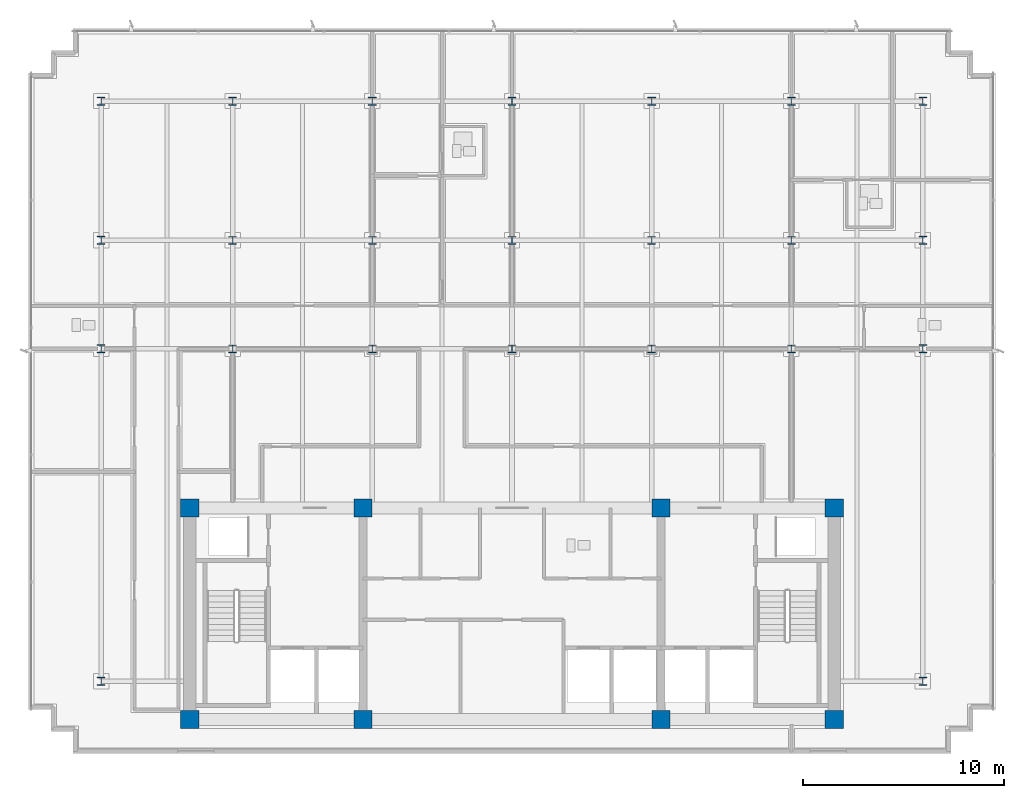
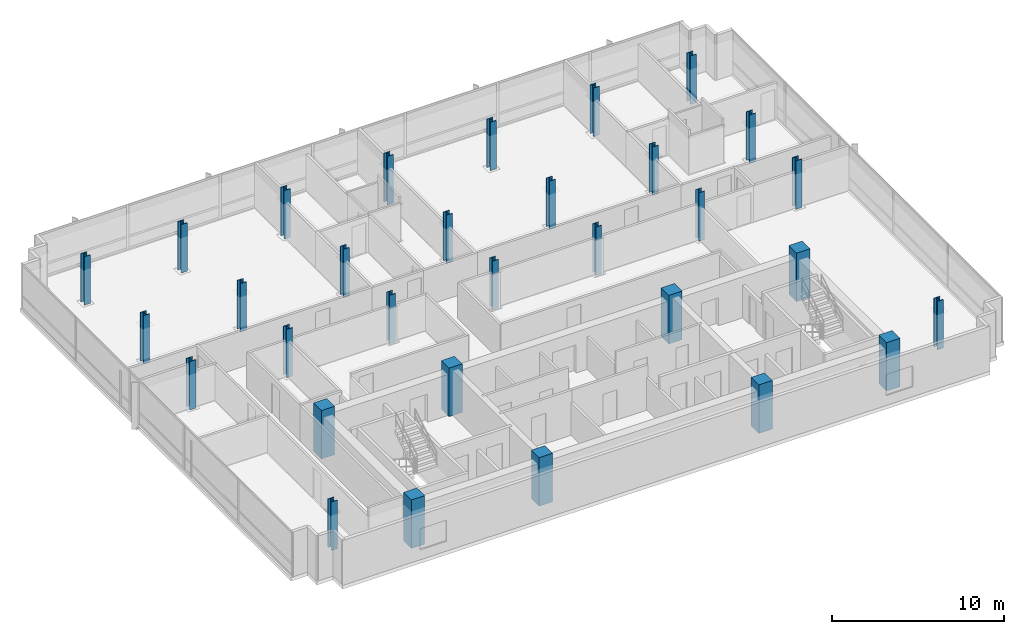
# One storey, part 1 of 18: 31 columns.
"""IFC4 building model written with IfcOpenShell, lengths in metres."""

import ifcopenshell
import ifcopenshell.guid

model = None  # the IFC model being written
_history = None  # IfcOwnerHistory: only IFC2X3 demands one
_inside = {}  # id of a spatial element -> (the spatial element, [elements in it])
_under = {}  # id of a project, library or spatial element -> (it, [spatial elements below it])
_declared = {}  # id of a project -> (the project, [libraries it declares])
_typed = {}  # id of a type object -> (the type object, [elements of that type])
_made_of = {}  # id of a material, layer set ... -> (it, [elements and type objects made of it])


def new_model(schema):
    """Start an empty IFC model of exactly this schema.

    Asked for "IFC4X3", IfcOpenShell would pick the latest addendum, in which some entities
    have other attributes; the version numbers below select the first issue.
    IFC2X3 requires an IfcOwnerHistory on every rooted entity: one is made here for all.
    """
    global model, _history
    if schema == "IFC4X3":
        model = ifcopenshell.file(schema_version=(4, 3, 0, 0))
    else:
        model = ifcopenshell.file(schema=schema)
    _inside.clear()
    _under.clear()
    _declared.clear()
    _typed.clear()
    _made_of.clear()
    _history = None
    if model.schema == "IFC2X3":
        org = make("IfcOrganization", Name="unknown")
        user = make(
            "IfcPersonAndOrganization",
            ThePerson=make("IfcPerson", FamilyName="unknown"),
            TheOrganization=org,
        )
        app = make(
            "IfcApplication",
            ApplicationDeveloper=org,
            Version="unknown",
            ApplicationFullName="unknown",
            ApplicationIdentifier="unknown",
        )
        _history = make(
            "IfcOwnerHistory",
            OwningUser=user,
            OwningApplication=app,
            ChangeAction="ADDED",
            CreationDate=0,
        )
    return model


def make(cls, **values):
    """One entity of the class cls with the attributes given. An attribute that is None is left unset."""
    return model.create_entity(
        cls, **{name: value for name, value in values.items() if value is not None}
    )


def rooted(cls, **values):
    """An entity with a GlobalId (a new one), such as an element, a storey or a relation."""
    return make(cls, GlobalId=ifcopenshell.guid.new(), OwnerHistory=_history, **values)


def si_unit(unit_type, name, prefix=None):
    """IfcSIUnit, for example si_unit("LENGTHUNIT", "METRE", prefix="MILLI")."""
    return make("IfcSIUnit", UnitType=unit_type, Prefix=prefix, Name=name)


def assignment(units):
    """IfcUnitAssignment: the units of a project."""
    return None if units is None else make("IfcUnitAssignment", Units=units)


def point(xyz):
    """IfcCartesianPoint."""
    return None if xyz is None else make("IfcCartesianPoint", Coordinates=xyz)


def direction(xyz):
    """IfcDirection."""
    return None if xyz is None else make("IfcDirection", DirectionRatios=xyz)


def frame(location, z_axis=None, x_axis=None):
    """IfcAxis2Placement3D, a coordinate frame: its origin and axes. An axis left out is left unset."""
    return make(
        "IfcAxis2Placement3D",
        Location=point(location),
        Axis=direction(z_axis),
        RefDirection=direction(x_axis),
    )


def frame_2d(location, x_axis=None):
    """IfcAxis2Placement2D, a coordinate frame in the plane: its origin and x axis."""
    return make(
        "IfcAxis2Placement2D", Location=point(location), RefDirection=direction(x_axis)
    )


def origin():
    """The frame at (0, 0, 0) with its axes left unset."""
    return frame((0.0, 0.0, 0.0))


def origin_2d():
    """The frame at (0, 0) in the plane with its x axis left unset."""
    return frame_2d((0.0, 0.0))


def place(relative_to, where):
    """IfcLocalPlacement: puts the frame where relative to a parent placement (None: the world)."""
    return make(
        "IfcLocalPlacement", PlacementRelTo=relative_to, RelativePlacement=where
    )


def context(
    kind, dimensions, precision=None, world=None, true_north=None, identifier=None
):
    """IfcGeometricRepresentationContext, for example the 3D "Model" context."""
    return make(
        "IfcGeometricRepresentationContext",
        ContextIdentifier=identifier,
        ContextType=kind,
        CoordinateSpaceDimension=dimensions,
        Precision=precision,
        WorldCoordinateSystem=world,
        TrueNorth=true_north,
    )


def subcontext(parent, identifier, kind, view, scale=None):
    """IfcGeometricRepresentationSubContext, for example "Body" below "Model"."""
    return make(
        "IfcGeometricRepresentationSubContext",
        ContextIdentifier=identifier,
        ContextType=kind,
        ParentContext=parent,
        TargetScale=scale,
        TargetView=view,
    )


def project(units=None, contexts=None):
    """IfcProject with its units and contexts."""
    return rooted(
        "IfcProject",
        Name="project",
        RepresentationContexts=contexts,
        UnitsInContext=assignment(units),
    )


def spatial(cls, under=None, at=None, **own):
    """A site, building, storey or space (cls), placed at a placement, below another one or the project."""
    s = rooted(cls, ObjectPlacement=at, **own)
    if under is not None:
        _under.setdefault(under.id(), (under, []))[1].append(s)
    return s


def profile(cls, at=None, kind="AREA", **sizes):
    """A parametric profile (cls). Its sizes go by their IFC names, for example OverallWidth=200.0."""
    return make(cls, ProfileType=kind, Position=at, **sizes)


def rectangle(**sizes):
    """IfcRectangleProfileDef."""
    return profile("IfcRectangleProfileDef", **sizes)


def i_section(**sizes):
    """IfcIShapeProfileDef."""
    return profile("IfcIShapeProfileDef", **sizes)


def extrude(swept, where, along, depth):
    """IfcExtrudedAreaSolid: the profile swept, set in the frame where, extruded along a direction by depth."""
    return make(
        "IfcExtrudedAreaSolid",
        SweptArea=swept,
        Position=where,
        ExtrudedDirection=direction(along),
        Depth=depth,
    )


def shape(context_of_items, identifier, shape_type, items):
    """IfcShapeRepresentation: the items that make up one representation, for example the "Body"."""
    return make(
        "IfcShapeRepresentation",
        ContextOfItems=context_of_items,
        RepresentationIdentifier=identifier,
        RepresentationType=shape_type,
        Items=items,
    )


def material(Name=None, Category=None):
    """IfcMaterial."""
    return make("IfcMaterial", Name=Name, Category=Category)


def material_profile(
    of_material, cross_section, Name=None, Category=None, Priority=None
):
    """IfcMaterialProfile: a cross section and its material."""
    return make(
        "IfcMaterialProfile",
        Name=Name,
        Material=of_material,
        Profile=cross_section,
        Priority=Priority,
        Category=Category,
    )


def profile_set(profiles, Name=None, composite=None):
    """IfcMaterialProfileSet."""
    return make(
        "IfcMaterialProfileSet",
        Name=Name,
        MaterialProfiles=profiles,
        CompositeProfile=composite,
    )


def made_of(thing, what):
    """Note that an element or type object is made of a material, layer set ...; save() writes the relation."""
    if what is not None:
        _made_of.setdefault(what.id(), (what, []))[1].append(thing)
    return thing


def type_object(cls, material=None, **own):
    """A type object (cls), such as IfcWallType, which elements share."""
    return made_of(rooted(cls, **own), material)


def element(
    cls,
    number,
    at=None,
    inside=None,
    cuts=None,
    type_object=None,
    material=None,
    context=None,
    identifier="Body",
    shape_type=None,
    held_by="IfcProductDefinitionShape",
    body=None,
    shapes=None,
    **own,
):
    """One element of the class cls, such as IfcWall. Its Tag is "e" and its number.

    at: its placement. inside: the storey or other place that contains it. cuts: it is an
    opening in that element (IfcRelVoidsElement). A single representation is given by context,
    identifier, shape_type and body (its items); several are given by shapes. held_by: the class
    of the entity that holds the representations. save() writes the other relations.
    """
    e = rooted(cls, Tag="e%d" % number, ObjectPlacement=at, **own)
    if body is not None:
        shapes = [shape(context, identifier, shape_type, body)]
    if shapes is not None:
        e.Representation = make(held_by, Representations=shapes)
    if inside is not None:
        _inside.setdefault(inside.id(), (inside, []))[1].append(e)
    if cuts is not None:
        rooted(
            "IfcRelVoidsElement", RelatingBuildingElement=cuts, RelatedOpeningElement=e
        )
    if type_object is not None:
        _typed.setdefault(type_object.id(), (type_object, []))[1].append(e)
    return made_of(e, material)


def aggregate(whole, parts):
    """IfcRelAggregates: a whole, such as a stair, and the parts it consists of."""
    return rooted("IfcRelAggregates", RelatingObject=whole, RelatedObjects=parts)


def save(model, path):
    """Write the relations noted so far, then the file.

    IfcRelAggregates (storeys below a building ...), IfcRelContainedInSpatialStructure (elements
    in a storey), IfcRelDefinesByType, IfcRelAssociatesMaterial and IfcRelDeclares: one each for
    every whole, place, type object, material and project.
    """
    for whole, parts in _under.values():
        aggregate(whole, parts)
    for where, things in _inside.values():
        rooted(
            "IfcRelContainedInSpatialStructure",
            RelatedElements=things,
            RelatingStructure=where,
        )
    for kind, things in _typed.values():
        rooted("IfcRelDefinesByType", RelatedObjects=things, RelatingType=kind)
    for what, things in _made_of.values():
        rooted("IfcRelAssociatesMaterial", RelatedObjects=things, RelatingMaterial=what)
    for by, libraries in _declared.values():
        rooted("IfcRelDeclares", RelatingContext=by, RelatedDefinitions=libraries)
    model.write(path)


model = new_model("IFC4")

# Units and contexts
model_context = context("Model", 3, precision=1e-05, world=origin(), true_north=direction((0.0, 1.0)))
body_context = subcontext(model_context, "Body", "Model", "MODEL_VIEW")
ifc_project = project(units=[si_unit("LENGTHUNIT", "METRE"), si_unit("AREAUNIT", "SQUARE_METRE"), si_unit("VOLUMEUNIT", "CUBIC_METRE"), si_unit("PLANEANGLEUNIT", "RADIAN"), si_unit("MASSUNIT", "GRAM", prefix="KILO")], contexts=[model_context])

# Site, building, storey
site_placement = place(None, origin())
site = spatial("IfcSite", under=ifc_project, at=site_placement, CompositionType="ELEMENT")
building_placement = place(site_placement, origin())
building = spatial("IfcBuilding", under=site, at=building_placement, Name="Solmavex Isthmus Hotel", CompositionType="ELEMENT")
storey_placement = place(building_placement, frame((0.0, 0.0, 283.35009765625)))
storey = spatial("IfcBuildingStorey", under=building, at=storey_placement, Name="L77", CompositionType="ELEMENT", Elevation=283.35009765625)

# Columns
ifc_material_1 = material(Name="Concrete C50/60", Category="concrete")
ifc_material_profile_1 = material_profile(ifc_material_1, rectangle(XDim=0.89990234375, YDim=0.89990234375, at=origin_2d()), Name="RC900X900")
ifc_profile_set_1 = profile_set([ifc_material_profile_1], Name="Concrete C50/60")
column_type_1 = type_object("IfcColumnType", Name="COL-CC-900", PredefinedType="COLUMN", material=ifc_profile_set_1)
for number, where, z_axis, x_axis, name in (
    (1, (-16.0, -13.0, 0.0), (0.0, 0.0, 1.0), (1.0, 0.0, 0.0), "Core Pilaster CC-SW L77"),
    (2, (-7.39990234375, -13.0, 0.0), (0.0, 0.0, 1.0), (1.0, 0.0, 0.0), "Core Pilaster CC-S1 L77"),
    (3, (7.39990234375, -13.0, 0.0), (0.0, 0.0, 1.0), (1.0, 0.0, 0.0), "Core Pilaster CC-S2 L77"),
    (4, (16.0, -13.0, 0.0), (0.0, 0.0, 1.0), (1.0, 0.0, 0.0), "Core Pilaster CC-SE L77"),
    (5, (-16.0, -2.5, 0.0), (0.0, 0.0, 1.0), (1.0, 0.0, 0.0), "Core Pilaster CC-NW L77"),
    (6, (-7.39990234375, -2.5, 0.0), (0.0, 0.0, 1.0), (1.0, 0.0, 0.0), "Core Pilaster CC-N1 L77"),
    (7, (7.39990234375, -2.5, 0.0), (0.0, 0.0, 1.0), (1.0, 0.0, 0.0), "Core Pilaster CC-N2 L77"),
    (8, (16.0, -2.5, 0.0), (0.0, 0.0, 1.0), (1.0, 0.0, 0.0), "Core Pilaster CC-NE L77"),
):
    element("IfcColumn", number, at=place(storey_placement, frame(where, z_axis=z_axis, x_axis=x_axis)), inside=storey, type_object=column_type_1, Name=name, PredefinedType="COLUMN", context=body_context, shape_type="SweptSolid", body=[
        extrude(rectangle(XDim=0.89990234375, YDim=0.89990234375, at=origin_2d()), origin(), (0.0, 0.0, 1.0), 3.449951171875),
    ])
ifc_material_2 = material(Name="Steel ASTM A913 Grade 65", Category="steel")
ifc_material_profile_2 = material_profile(ifc_material_2, i_section(OverallWidth=0.4013671875, OverallDepth=0.3994140625, WebThickness=0.02490234375, FlangeThickness=0.03955078125, FilletRadius=0.030517578125, at=origin_2d()), Name="W14X211")
ifc_profile_set_2 = profile_set([ifc_material_profile_2], Name="Steel ASTM A913 Grade 65")
column_type_2 = type_object("IfcColumnType", Name="COL-SC-W14X211", PredefinedType="COLUMN", material=ifc_profile_set_2)
for number, where, z_axis, x_axis, name in (
    (9, (-13.8720703125, 5.39990234375, 0.0), (0.0, 0.0, 1.0), (1.0, 0.0, 0.0), "Tower Column B5-U2V2 L77"),
    (10, (-13.8720703125, 10.7880859375, 0.0), (0.0, 0.0, 1.0), (1.0, 0.0, 0.0), "Tower Column B5-U2V3 L77"),
    (11, (-6.93603515625, 5.39990234375, 0.0), (0.0, 0.0, 1.0), (1.0, 0.0, 0.0), "Tower Column B5-U3V2 L77"),
    (12, (-6.93603515625, 10.7880859375, 0.0), (0.0, 0.0, 1.0), (1.0, 0.0, 0.0), "Tower Column B5-U3V3 L77"),
    (13, (0.0, 5.39990234375, 0.0), (0.0, 0.0, 1.0), (1.0, 0.0, 0.0), "Tower Column B5-U4V2 L77"),
    (14, (0.0, 10.7880859375, 0.0), (0.0, 0.0, 1.0), (1.0, 0.0, 0.0), "Tower Column B5-U4V3 L77"),
    (15, (6.93603515625, 5.39990234375, 0.0), (0.0, 0.0, 1.0), (1.0, 0.0, 0.0), "Tower Column B5-U5V2 L77"),
    (16, (6.93603515625, 10.7880859375, 0.0), (0.0, 0.0, 1.0), (1.0, 0.0, 0.0), "Tower Column B5-U5V3 L77"),
    (17, (13.8720703125, 5.39990234375, 0.0), (0.0, 0.0, 1.0), (1.0, 0.0, 0.0), "Tower Column B5-U6V2 L77"),
    (18, (13.8720703125, 10.7880859375, 0.0), (0.0, 0.0, 1.0), (1.0, 0.0, 0.0), "Tower Column B5-U6V3 L77"),
):
    element("IfcColumn", number, at=place(storey_placement, frame(where, z_axis=z_axis, x_axis=x_axis)), inside=storey, type_object=column_type_2, Name=name, PredefinedType="COLUMN", context=body_context, shape_type="SweptSolid", body=[
        extrude(i_section(OverallWidth=0.4013671875, OverallDepth=0.3994140625, WebThickness=0.02490234375, FlangeThickness=0.03955078125, FilletRadius=0.030517578125, at=origin_2d()), origin(), (0.0, 0.0, 1.0), 3.449951171875),
    ])
ifc_material_profile_3 = material_profile(ifc_material_2, i_section(OverallWidth=0.40625, OverallDepth=0.416015625, WebThickness=0.02978515625, FlangeThickness=0.048095703125, FilletRadius=0.030517578125, at=origin_2d()), Name="W14X257")
ifc_profile_set_3 = profile_set([ifc_material_profile_3], Name="Steel ASTM A913 Grade 65")
column_type_3 = type_object("IfcColumnType", Name="COL-SC-W14X257", PredefinedType="COLUMN", material=ifc_profile_set_3)
for number, where, z_axis, x_axis, name in (
    (19, (-20.39990234375, -11.10009765625, 0.0), (0.0, 0.0, 1.0), (1.0, 0.0, 0.0), "Tower Column B5-U1V1 L77"),
    (20, (-20.39990234375, 5.39990234375, 0.0), (0.0, 0.0, 1.0), (1.0, 0.0, 0.0), "Tower Column B5-U1V2 L77"),
    (21, (-20.39990234375, 10.7880859375, 0.0), (0.0, 0.0, 1.0), (1.0, 0.0, 0.0), "Tower Column B5-U1V3 L77"),
    (22, (-20.39990234375, 17.699951171875, 0.0), (0.0, 0.0, 1.0), (1.0, 0.0, 0.0), "Tower Column B5-U1V4 L77"),
    (23, (-13.8720703125, 17.699951171875, 0.0), (0.0, 0.0, 1.0), (1.0, 0.0, 0.0), "Tower Column B5-U2V4 L77"),
    (24, (-6.93603515625, 17.699951171875, 0.0), (0.0, 0.0, 1.0), (1.0, 0.0, 0.0), "Tower Column B5-U3V4 L77"),
    (25, (0.0, 17.699951171875, 0.0), (0.0, 0.0, 1.0), (1.0, 0.0, 0.0), "Tower Column B5-U4V4 L77"),
    (26, (6.93603515625, 17.699951171875, 0.0), (0.0, 0.0, 1.0), (1.0, 0.0, 0.0), "Tower Column B5-U5V4 L77"),
    (27, (13.8720703125, 17.699951171875, 0.0), (0.0, 0.0, 1.0), (1.0, 0.0, 0.0), "Tower Column B5-U6V4 L77"),
    (28, (20.39990234375, -11.10009765625, 0.0), (0.0, 0.0, 1.0), (1.0, 0.0, 0.0), "Tower Column B5-U7V1 L77"),
    (29, (20.39990234375, 5.39990234375, 0.0), (0.0, 0.0, 1.0), (1.0, 0.0, 0.0), "Tower Column B5-U7V2 L77"),
    (30, (20.39990234375, 10.7880859375, 0.0), (0.0, 0.0, 1.0), (1.0, 0.0, 0.0), "Tower Column B5-U7V3 L77"),
    (31, (20.39990234375, 17.699951171875, 0.0), (0.0, 0.0, 1.0), (1.0, 0.0, 0.0), "Tower Column B5-U7V4 L77"),
):
    element("IfcColumn", number, at=place(storey_placement, frame(where, z_axis=z_axis, x_axis=x_axis)), inside=storey, type_object=column_type_3, Name=name, PredefinedType="COLUMN", context=body_context, shape_type="SweptSolid", body=[
        extrude(i_section(OverallWidth=0.40625, OverallDepth=0.416015625, WebThickness=0.02978515625, FlangeThickness=0.048095703125, FilletRadius=0.030517578125, at=origin_2d()), origin(), (0.0, 0.0, 1.0), 3.449951171875),
    ])

save(model, "model.ifc")
